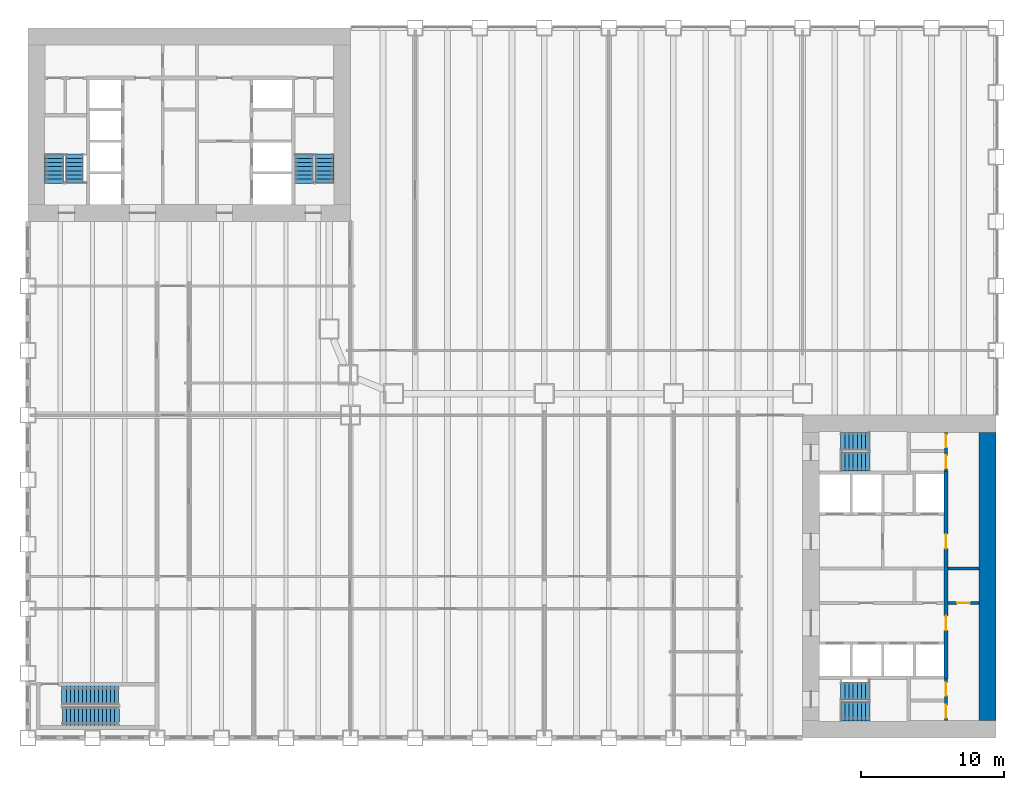
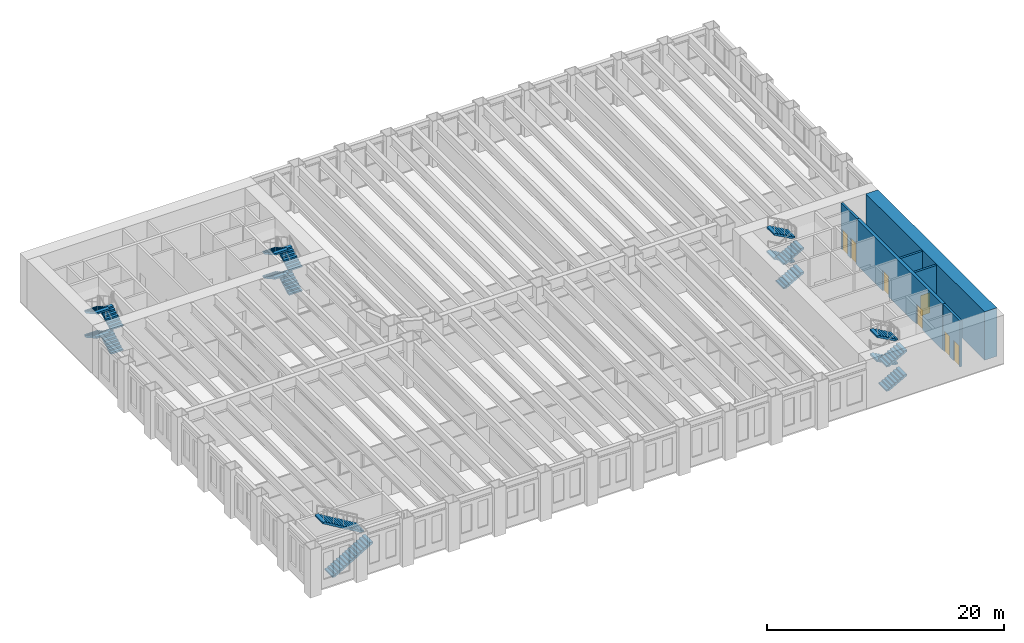
# One storey, part 16 of 19: 18 stair flights, 7 doors, 6 walls, 7 openings, 5 elements without a shape of their own.
"""IFC4 building model written with IfcOpenShell, lengths in metres."""

from ifc_helpers import new_model, si_unit, direction, frame, frame_2d, origin, place, context, subcontext, project, spatial, polyline, rectangle, outline, extrude, material, layer, layer_set, type_object, element, fill, aggregate, save


model = new_model("IFC4")

# Units and contexts
model_context = context("Model", 3, precision=1e-05, world=origin(), true_north=direction((0.0, 1.0)))
body_context = subcontext(model_context, "Body", "Model", "MODEL_VIEW")
ifc_project = project(units=[si_unit("LENGTHUNIT", "METRE"), si_unit("AREAUNIT", "SQUARE_METRE"), si_unit("VOLUMEUNIT", "CUBIC_METRE"), si_unit("PLANEANGLEUNIT", "RADIAN"), si_unit("MASSUNIT", "GRAM", prefix="KILO")], contexts=[model_context])

# Site, building, storey
site_placement = place(None, origin())
site = spatial("IfcSite", under=ifc_project, at=site_placement, CompositionType="ELEMENT")
building_placement = place(site_placement, origin())
building = spatial("IfcBuilding", under=site, at=building_placement, Name="Sennacour Bend Tower", CompositionType="ELEMENT")
storey_placement = place(building_placement, frame((0.0, 0.0, 19.0)))
storey = spatial("IfcBuildingStorey", under=building, at=storey_placement, Name="L03", CompositionType="ELEMENT", Elevation=19.0)

# Wall
ifc_material_1 = material(Name="Concrete C80/95", Category="concrete")
ifc_layer_1 = layer(ifc_material_1, 1.199951171875, Name="Concrete C80/95", Category="concrete")
ifc_layer_set_1 = layer_set([ifc_layer_1], Name="Concrete C80/95")
wall_type_1 = type_object("IfcWallType", Name="Core wall 1200 C80/95", PredefinedType="SHEAR", material=ifc_layer_set_1)
wall_1_placement = place(storey_placement, frame((66.89990234375, 1.199951171875, -0.14990234375), z_axis=(0.0, 0.0, 1.0), x_axis=(0.0, 1.0, 0.0)))
element("IfcWall", 1, at=wall_1_placement, inside=storey, type_object=wall_type_1, Name="Core A wall L03 E", PredefinedType="SHEAR", context=body_context, shape_type="SweptSolid", body=[
    extrude(rectangle(XDim=20.10009765625, YDim=1.199951171875, at=frame_2d((10.050048828125, 0.0))), origin(), (0.0, 0.0, 1.0), 5.0),
])

# Wall, openings, doors
ifc_material_2 = material(Name="Fire-rated plasterboard partition on steel studs", Category="steel")
ifc_layer_2 = layer(ifc_material_2, 0.199951171875, Name="Fire-rated plasterboard partition on steel studs", Category="steel")
ifc_layer_set_2 = layer_set([ifc_layer_2], Name="Fire-rated plasterboard partition on steel studs")
wall_type_2 = type_object("IfcWallType", Name="Rated partition 200", PredefinedType="PARTITIONING", material=ifc_layer_set_2)
wall_2_placement = place(storey_placement, frame((64.0, 1.199951171875, 0.0), z_axis=(0.0, 0.0, 1.0), x_axis=(0.0, 1.0, 0.0)))
wall_2 = element("IfcWall", 2, at=wall_2_placement, inside=storey, type_object=wall_type_2, Name="P-L03-W041", PredefinedType="PARTITIONING", context=body_context, shape_type="SweptSolid", body=[
    extrude(rectangle(XDim=2.900146484375, YDim=0.199951171875, at=frame_2d((1.4501953125, 0.0))), origin(), (0.0, 0.0, 1.0), 4.75),
])
opening_1_placement = place(wall_2_placement, frame((0.199951171875, 0.0, 0.0)))
opening_1 = element("IfcOpeningElement", 3, at=opening_1_placement, cuts=wall_2, Name="Opening SV", PredefinedType="OPENING", context=body_context, shape_type="SweptSolid", body=[
    extrude(rectangle(XDim=0.89990234375, YDim=2.10009765625, at=frame_2d((0.449951171875, 1.050048828125))), frame((0.0, 0.10986328125, 0.0), z_axis=(0.0, -1.0, 0.0), x_axis=(1.0, 0.0, 0.0)), (0.0, 0.0, 1.0), 0.219970703125),
])
opening_2_placement = place(wall_2_placement, frame((1.75, 0.0, 0.0)))
opening_2 = element("IfcOpeningElement", 4, at=opening_2_placement, cuts=wall_2, Name="Opening WD", PredefinedType="OPENING", context=body_context, shape_type="SweptSolid", body=[
    extrude(rectangle(XDim=0.89990234375, YDim=2.10009765625, at=frame_2d((0.449951171875, 1.050048828125))), frame((0.0, 0.10986328125, 0.0), z_axis=(0.0, -1.0, 0.0), x_axis=(1.0, 0.0, 0.0)), (0.0, 0.0, 1.0), 0.219970703125),
])
ifc_material_3 = material(Name="Painted steel", Category="steel")
door_type_1 = type_object("IfcDoorType", Name="DR-SERVICE-900", OperationType="NOTDEFINED", PredefinedType="DOOR", material=ifc_material_3)
door_1_placement = place(opening_1_placement, origin())
door_1 = element("IfcDoor", 5, at=door_1_placement, inside=storey, type_object=door_type_1, Name="Door", OperationType="SINGLE_SWING_LEFT", OverallHeight=2.10009765625, OverallWidth=0.89990234375, PredefinedType="DOOR", context=body_context, shape_type="SweptSolid", body=[
    extrude(rectangle(XDim=0.89990234375, YDim=2.10009765625, at=frame_2d((0.449951171875, 1.050048828125))), frame((0.0, 0.02490234375, 0.0), z_axis=(0.0, -1.0, 0.0), x_axis=(1.0, 0.0, 0.0)), (0.0, 0.0, 1.0), 0.050048828125),
])
fill(opening_1, door_1)
ifc_material_4 = material(Name="Timber", Category="wood")
door_type_2 = type_object("IfcDoorType", Name="DR-WC-900", OperationType="NOTDEFINED", PredefinedType="DOOR", material=ifc_material_4)
door_2_placement = place(opening_2_placement, origin())
door_2 = element("IfcDoor", 6, at=door_2_placement, inside=storey, type_object=door_type_2, Name="Door", OperationType="SINGLE_SWING_RIGHT", OverallHeight=2.10009765625, OverallWidth=0.89990234375, PredefinedType="DOOR", context=body_context, shape_type="SweptSolid", body=[
    extrude(rectangle(XDim=0.89990234375, YDim=2.10009765625, at=frame_2d((0.449951171875, 1.050048828125))), frame((0.0, 0.02490234375, 0.0), z_axis=(0.0, -1.0, 0.0), x_axis=(1.0, 0.0, 0.0)), (0.0, 0.0, 1.0), 0.050048828125),
])
fill(opening_2, door_2)

wall_3_placement = place(storey_placement, frame((64.0, 18.60009765625, 0.0), z_axis=(0.0, 0.0, 1.0), x_axis=(0.0, 1.0, 0.0)))
wall_3 = element("IfcWall", 7, at=wall_3_placement, inside=storey, type_object=wall_type_2, Name="P-L03-W043", PredefinedType="PARTITIONING", context=body_context, shape_type="SweptSolid", body=[
    extrude(rectangle(XDim=2.699951171875, YDim=0.199951171875, at=frame_2d((1.35009765625, 0.0))), origin(), (0.0, 0.0, 1.0), 4.75),
])
opening_3_placement = place(wall_3_placement, frame((0.199951171875, 0.0, 0.0)))
opening_3 = element("IfcOpeningElement", 8, at=opening_3_placement, cuts=wall_3, Name="Opening SV", PredefinedType="OPENING", context=body_context, shape_type="SweptSolid", body=[
    extrude(rectangle(XDim=0.89990234375, YDim=2.10009765625, at=frame_2d((0.449951171875, 1.050048828125))), frame((0.0, 0.10986328125, 0.0), z_axis=(0.0, -1.0, 0.0), x_axis=(1.0, 0.0, 0.0)), (0.0, 0.0, 1.0), 0.219970703125),
])
opening_4_placement = place(wall_3_placement, frame((1.64990234375, 0.0, 0.0)))
opening_4 = element("IfcOpeningElement", 9, at=opening_4_placement, cuts=wall_3, Name="Opening SV", PredefinedType="OPENING", context=body_context, shape_type="SweptSolid", body=[
    extrude(rectangle(XDim=0.89990234375, YDim=2.10009765625, at=frame_2d((0.449951171875, 1.050048828125))), frame((0.0, 0.10986328125, 0.0), z_axis=(0.0, -1.0, 0.0), x_axis=(1.0, 0.0, 0.0)), (0.0, 0.0, 1.0), 0.219970703125),
])
door_3_placement = place(opening_3_placement, origin())
door_3 = element("IfcDoor", 10, at=door_3_placement, inside=storey, type_object=door_type_1, Name="Door", OperationType="SINGLE_SWING_LEFT", OverallHeight=2.10009765625, OverallWidth=0.89990234375, PredefinedType="DOOR", context=body_context, shape_type="SweptSolid", body=[
    extrude(rectangle(XDim=0.89990234375, YDim=2.10009765625, at=frame_2d((0.449951171875, 1.050048828125))), frame((0.0, 0.02490234375, 0.0), z_axis=(0.0, -1.0, 0.0), x_axis=(1.0, 0.0, 0.0)), (0.0, 0.0, 1.0), 0.050048828125),
])
fill(opening_3, door_3)
door_4_placement = place(opening_4_placement, origin())
door_4 = element("IfcDoor", 11, at=door_4_placement, inside=storey, type_object=door_type_1, Name="Door", OperationType="SINGLE_SWING_RIGHT", OverallHeight=2.10009765625, OverallWidth=0.89990234375, PredefinedType="DOOR", context=body_context, shape_type="SweptSolid", body=[
    extrude(rectangle(XDim=0.89990234375, YDim=2.10009765625, at=frame_2d((0.449951171875, 1.050048828125))), frame((0.0, 0.02490234375, 0.0), z_axis=(0.0, -1.0, 0.0), x_axis=(1.0, 0.0, 0.0)), (0.0, 0.0, 1.0), 0.050048828125),
])
fill(opening_4, door_4)

# Wall, opening, door
wall_4_placement = place(storey_placement, frame((64.14990234375, 9.39990234375, 0.0), z_axis=(0.0, 0.0, 1.0), x_axis=(1.0, 0.0, 0.0)))
wall_4 = element("IfcWall", 12, at=wall_4_placement, inside=storey, type_object=wall_type_2, Name="P-L03-W056c", PredefinedType="PARTITIONING", context=body_context, shape_type="SweptSolid", body=[
    extrude(rectangle(XDim=2.150146484375, YDim=0.199951171875, at=frame_2d((1.0751953125, 0.0))), origin(), (0.0, 0.0, 1.0), 4.75),
])
opening_5_placement = place(wall_4_placement, frame((0.625, 0.0, 0.0)))
opening_5 = element("IfcOpeningElement", 13, at=opening_5_placement, cuts=wall_4, Name="Opening SV", PredefinedType="OPENING", context=body_context, shape_type="SweptSolid", body=[
    extrude(rectangle(XDim=0.89990234375, YDim=2.10009765625, at=frame_2d((0.449951171875, 1.050048828125))), frame((0.0, 0.10986328125, 0.0), z_axis=(0.0, -1.0, 0.0), x_axis=(1.0, 0.0, 0.0)), (0.0, 0.0, 1.0), 0.219970703125),
])
door_5_placement = place(opening_5_placement, origin())
door_5 = element("IfcDoor", 14, at=door_5_placement, inside=storey, type_object=door_type_1, Name="Door", OperationType="SINGLE_SWING_LEFT", OverallHeight=2.10009765625, OverallWidth=0.89990234375, PredefinedType="DOOR", context=body_context, shape_type="SweptSolid", body=[
    extrude(rectangle(XDim=0.89990234375, YDim=2.10009765625, at=frame_2d((0.449951171875, 1.050048828125))), frame((0.0, 0.02490234375, 0.0), z_axis=(0.0, -1.0, 0.0), x_axis=(1.0, 0.0, 0.0)), (0.0, 0.0, 1.0), 0.050048828125),
])
fill(opening_5, door_5)

# Wall
wall_5_placement = place(storey_placement, frame((64.14990234375, 11.800048828125, 0.0), z_axis=(0.0, 0.0, 1.0), x_axis=(1.0, 0.0, 0.0)))
element("IfcWall", 15, at=wall_5_placement, inside=storey, type_object=wall_type_2, Name="P-L03-W058d", PredefinedType="PARTITIONING", context=body_context, shape_type="SweptSolid", body=[
    extrude(rectangle(XDim=2.150146484375, YDim=0.199951171875, at=frame_2d((1.0751953125, 0.0))), origin(), (0.0, 0.0, 1.0), 4.75),
])

# Wall, openings, doors
ifc_material_5 = material(Name="Concrete C60/75", Category="concrete")
ifc_layer_3 = layer(ifc_material_5, 0.300048828125, Name="Concrete C60/75", Category="concrete")
ifc_layer_set_3 = layer_set([ifc_layer_3], Name="Concrete C60/75")
wall_type_3 = type_object("IfcWallType", Name="Spine wall 300", PredefinedType="SHEAR", material=ifc_layer_set_3)
wall_6_placement = place(storey_placement, frame((64.0, 4.10009765625, 0.0), z_axis=(0.0, 0.0, 1.0), x_axis=(0.0, 1.0, 0.0)))
wall_6 = element("IfcWall", 16, at=wall_6_placement, inside=storey, type_object=wall_type_3, Name="P-L03-W042", PredefinedType="SHEAR", context=body_context, shape_type="SweptSolid", body=[
    extrude(rectangle(XDim=14.5, YDim=0.300048828125, at=frame_2d((7.25, 0.0))), origin(), (0.0, 0.0, 1.0), 4.75),
])
opening_6_placement = place(wall_6_placement, frame((3.39990234375, 0.0, 0.0)))
opening_6 = element("IfcOpeningElement", 17, at=opening_6_placement, cuts=wall_6, Name="Opening CD2", PredefinedType="OPENING", context=body_context, shape_type="SweptSolid", body=[
    extrude(rectangle(XDim=1.0, YDim=2.10009765625, at=frame_2d((0.5, 1.050048828125))), frame((0.0, 0.16015625, 0.0), z_axis=(0.0, -1.0, 0.0), x_axis=(1.0, 0.0, 0.0)), (0.0, 0.0, 1.0), 0.320068359375),
])
opening_7_placement = place(wall_6_placement, frame((9.099853515625, 0.0, 0.0)))
opening_7 = element("IfcOpeningElement", 18, at=opening_7_placement, cuts=wall_6, Name="Opening CD2", PredefinedType="OPENING", context=body_context, shape_type="SweptSolid", body=[
    extrude(rectangle(XDim=1.0, YDim=2.10009765625, at=frame_2d((0.5, 1.050048828125))), frame((0.0, 0.16015625, 0.0), z_axis=(0.0, -1.0, 0.0), x_axis=(1.0, 0.0, 0.0)), (0.0, 0.0, 1.0), 0.320068359375),
])
door_type_3 = type_object("IfcDoorType", Name="DR-LOBBY-1000", OperationType="NOTDEFINED", PredefinedType="DOOR", material=ifc_material_3)
door_6_placement = place(opening_6_placement, origin())
door_6 = element("IfcDoor", 19, at=door_6_placement, inside=storey, type_object=door_type_3, Name="Door", OperationType="SINGLE_SWING_LEFT", OverallHeight=2.10009765625, OverallWidth=1.0, PredefinedType="DOOR", context=body_context, shape_type="SweptSolid", body=[
    extrude(rectangle(XDim=1.0, YDim=2.10009765625, at=frame_2d((0.5, 1.050048828125))), frame((0.0, 0.02490234375, 0.0), z_axis=(0.0, -1.0, 0.0), x_axis=(1.0, 0.0, 0.0)), (0.0, 0.0, 1.0), 0.050048828125),
])
fill(opening_6, door_6)
door_7_placement = place(opening_7_placement, origin())
door_7 = element("IfcDoor", 20, at=door_7_placement, inside=storey, type_object=door_type_3, Name="Door", OperationType="SINGLE_SWING_RIGHT", OverallHeight=2.10009765625, OverallWidth=1.0, PredefinedType="DOOR", context=body_context, shape_type="SweptSolid", body=[
    extrude(rectangle(XDim=1.0, YDim=2.10009765625, at=frame_2d((0.5, 1.050048828125))), frame((0.0, 0.02490234375, 0.0), z_axis=(0.0, -1.0, 0.0), x_axis=(1.0, 0.0, 0.0)), (0.0, 0.0, 1.0), 0.050048828125),
])
fill(opening_7, door_7)

# Stair, stair flights
ifc_material_6 = material(Name="Concrete C40/50", Category="concrete")
stair_type = type_object("IfcStairType", Name="ST-DOGLEG", PredefinedType="HALF_TURN_STAIR", material=ifc_material_6)
stair_1_placement = place(storey_placement, origin())
stair_1 = element("IfcStair", 21, at=stair_1_placement, inside=storey, type_object=stair_type, Name="L03 Exit stair A1", PredefinedType="HALF_TURN_STAIR")
stair_flight_type = type_object("IfcStairFlightType", Name="SFL-RC", PredefinedType="STRAIGHT", material=ifc_material_6)
stair_flight_1_placement = place(storey_placement, frame((56.699951171875, 1.8349609375, 0.0), z_axis=(0.0, 0.0, 1.0), x_axis=(1.0, 0.0, 0.0)))
stair_flight_1 = element("IfcStairFlight", 22, at=stair_flight_1_placement, type_object=stair_flight_type, Name="SA1 flight 1", NumberOfRisers=8, NumberOfTreads=7, PredefinedType="STRAIGHT", RiserHeight=0.15625, TreadLength=0.28, context=body_context, shape_type="SweptSolid", body=[
    extrude(outline(polyline([(0.0, 0.0), (0.0, 0.15625), (0.280029296875, 0.15625), (0.280029296875, 0.3125), (0.56005859375, 0.3125), (0.56005859375, 0.46875), (0.840087890625, 0.46875), (0.840087890625, 0.625), (1.1201171875, 0.625), (1.1201171875, 0.78125), (1.39990234375, 0.78125), (1.39990234375, 0.9375), (1.679931640625, 0.9375), (1.679931640625, 1.09375), (1.9599609375, 1.09375), (2.02001953125, 1.09375), (2.02001953125, 0.922119140625), (1.9599609375, 0.922119140625), (0.3076171875, 0.0), (0.0, 0.0)])), frame((0.0, 0.6650390625, 0.0), z_axis=(0.0, -1.0, 0.0), x_axis=(1.0, 0.0, 0.0)), (0.0, 0.0, 1.0), 1.330078125),
])
stair_flight_2_placement = place(storey_placement, frame((58.659912109375, 3.25, 1.25), z_axis=(0.0, 0.0, 1.0), x_axis=(-1.0, 0.0, 0.0)))
stair_flight_2 = element("IfcStairFlight", 23, at=stair_flight_2_placement, type_object=stair_flight_type, Name="SA1 flight 2", NumberOfRisers=8, NumberOfTreads=7, PredefinedType="STRAIGHT", RiserHeight=0.15625, TreadLength=0.28, context=body_context, shape_type="SweptSolid", body=[
    extrude(outline(polyline([(0.0, 0.0), (0.0, 0.15625), (0.280029296875, 0.15625), (0.280029296875, 0.3125), (0.56005859375, 0.3125), (0.56005859375, 0.46875), (0.840087890625, 0.46875), (0.840087890625, 0.625), (1.1201171875, 0.625), (1.1201171875, 0.78125), (1.39990234375, 0.78125), (1.39990234375, 0.9375), (1.679931640625, 0.9375), (1.679931640625, 1.09375), (1.9599609375, 1.09375), (2.02001953125, 1.09375), (2.02001953125, 0.922119140625), (1.9599609375, 0.922119140625), (0.3076171875, 0.0), (0.0, 0.0)])), frame((0.0, 0.60009765625, 0.0), z_axis=(0.0, -1.0, 0.0), x_axis=(1.0, 0.0, 0.0)), (0.0, 0.0, 1.0), 1.199951171875),
])
stair_flight_3_placement = place(storey_placement, frame((56.699951171875, 1.8349609375, 2.5), z_axis=(0.0, 0.0, 1.0), x_axis=(1.0, 0.0, 0.0)))
stair_flight_3 = element("IfcStairFlight", 24, at=stair_flight_3_placement, type_object=stair_flight_type, Name="SA1 flight 3", NumberOfRisers=8, NumberOfTreads=7, PredefinedType="STRAIGHT", RiserHeight=0.15625, TreadLength=0.28, context=body_context, shape_type="SweptSolid", body=[
    extrude(outline(polyline([(0.0, 0.0), (0.0, 0.15625), (0.280029296875, 0.15625), (0.280029296875, 0.3125), (0.56005859375, 0.3125), (0.56005859375, 0.46875), (0.840087890625, 0.46875), (0.840087890625, 0.625), (1.1201171875, 0.625), (1.1201171875, 0.78125), (1.39990234375, 0.78125), (1.39990234375, 0.9375), (1.679931640625, 0.9375), (1.679931640625, 1.09375), (1.9599609375, 1.09375), (2.02001953125, 1.09375), (2.02001953125, 0.922119140625), (1.9599609375, 0.922119140625), (0.3076171875, 0.0), (0.0, 0.0)])), frame((0.0, 0.6650390625, 0.0), z_axis=(0.0, -1.0, 0.0), x_axis=(1.0, 0.0, 0.0)), (0.0, 0.0, 1.0), 1.330078125),
])
stair_flight_4_placement = place(storey_placement, frame((58.659912109375, 3.25, 3.75), z_axis=(0.0, 0.0, 1.0), x_axis=(-1.0, 0.0, 0.0)))
stair_flight_4 = element("IfcStairFlight", 25, at=stair_flight_4_placement, type_object=stair_flight_type, Name="SA1 flight 4", NumberOfRisers=8, NumberOfTreads=7, PredefinedType="STRAIGHT", RiserHeight=0.15625, TreadLength=0.28, context=body_context, shape_type="SweptSolid", body=[
    extrude(outline(polyline([(0.0, 0.0), (0.0, 0.15625), (0.280029296875, 0.15625), (0.280029296875, 0.3125), (0.56005859375, 0.3125), (0.56005859375, 0.46875), (0.840087890625, 0.46875), (0.840087890625, 0.625), (1.1201171875, 0.625), (1.1201171875, 0.78125), (1.39990234375, 0.78125), (1.39990234375, 0.9375), (1.679931640625, 0.9375), (1.679931640625, 1.09375), (1.9599609375, 1.09375), (2.02001953125, 1.09375), (2.02001953125, 0.922119140625), (1.9599609375, 0.922119140625), (0.3076171875, 0.0), (0.0, 0.0)])), frame((0.0, 0.60009765625, 0.0), z_axis=(0.0, -1.0, 0.0), x_axis=(1.0, 0.0, 0.0)), (0.0, 0.0, 1.0), 1.199951171875),
])
aggregate(stair_1, [stair_flight_1, stair_flight_2, stair_flight_3, stair_flight_4])

stair_2_placement = place(storey_placement, origin())
stair_2 = element("IfcStair", 26, at=stair_2_placement, inside=storey, type_object=stair_type, Name="L03 Exit stair A2", PredefinedType="HALF_TURN_STAIR")
stair_flight_5_placement = place(storey_placement, frame((56.699951171875, 19.24755859375, 0.0), z_axis=(0.0, 0.0, 1.0), x_axis=(1.0, 0.0, 0.0)))
stair_flight_5 = element("IfcStairFlight", 27, at=stair_flight_5_placement, type_object=stair_flight_type, Name="SA2 flight 1", NumberOfRisers=8, NumberOfTreads=7, PredefinedType="STRAIGHT", RiserHeight=0.15625, TreadLength=0.28, context=body_context, shape_type="SweptSolid", body=[
    extrude(outline(polyline([(0.0, 0.0), (0.0, 0.15625), (0.280029296875, 0.15625), (0.280029296875, 0.3125), (0.56005859375, 0.3125), (0.56005859375, 0.46875), (0.840087890625, 0.46875), (0.840087890625, 0.625), (1.1201171875, 0.625), (1.1201171875, 0.78125), (1.39990234375, 0.78125), (1.39990234375, 0.9375), (1.679931640625, 0.9375), (1.679931640625, 1.09375), (1.9599609375, 1.09375), (2.02001953125, 1.09375), (2.02001953125, 0.922119140625), (1.9599609375, 0.922119140625), (0.3076171875, 0.0), (0.0, 0.0)])), frame((0.0, 0.65234375, 0.0), z_axis=(0.0, -1.0, 0.0), x_axis=(1.0, 0.0, 0.0)), (0.0, 0.0, 1.0), 1.304931640625),
])
stair_flight_6_placement = place(storey_placement, frame((58.659912109375, 20.68994140625, 1.25), z_axis=(0.0, 0.0, 1.0), x_axis=(-1.0, 0.0, 0.0)))
stair_flight_6 = element("IfcStairFlight", 28, at=stair_flight_6_placement, type_object=stair_flight_type, Name="SA2 flight 2", NumberOfRisers=8, NumberOfTreads=7, PredefinedType="STRAIGHT", RiserHeight=0.15625, TreadLength=0.28, context=body_context, shape_type="SweptSolid", body=[
    extrude(outline(polyline([(0.0, 0.0), (0.0, 0.15625), (0.280029296875, 0.15625), (0.280029296875, 0.3125), (0.56005859375, 0.3125), (0.56005859375, 0.46875), (0.840087890625, 0.46875), (0.840087890625, 0.625), (1.1201171875, 0.625), (1.1201171875, 0.78125), (1.39990234375, 0.78125), (1.39990234375, 0.9375), (1.679931640625, 0.9375), (1.679931640625, 1.09375), (1.9599609375, 1.09375), (2.02001953125, 1.09375), (2.02001953125, 0.922119140625), (1.9599609375, 0.922119140625), (0.3076171875, 0.0), (0.0, 0.0)])), frame((0.0, 0.64013671875, 0.0), z_axis=(0.0, -1.0, 0.0), x_axis=(1.0, 0.0, 0.0)), (0.0, 0.0, 1.0), 1.280029296875),
])
stair_flight_7_placement = place(storey_placement, frame((56.699951171875, 19.24755859375, 2.5), z_axis=(0.0, 0.0, 1.0), x_axis=(1.0, 0.0, 0.0)))
stair_flight_7 = element("IfcStairFlight", 29, at=stair_flight_7_placement, type_object=stair_flight_type, Name="SA2 flight 3", NumberOfRisers=8, NumberOfTreads=7, PredefinedType="STRAIGHT", RiserHeight=0.15625, TreadLength=0.28, context=body_context, shape_type="SweptSolid", body=[
    extrude(outline(polyline([(0.0, 0.0), (0.0, 0.15625), (0.280029296875, 0.15625), (0.280029296875, 0.3125), (0.56005859375, 0.3125), (0.56005859375, 0.46875), (0.840087890625, 0.46875), (0.840087890625, 0.625), (1.1201171875, 0.625), (1.1201171875, 0.78125), (1.39990234375, 0.78125), (1.39990234375, 0.9375), (1.679931640625, 0.9375), (1.679931640625, 1.09375), (1.9599609375, 1.09375), (2.02001953125, 1.09375), (2.02001953125, 0.922119140625), (1.9599609375, 0.922119140625), (0.3076171875, 0.0), (0.0, 0.0)])), frame((0.0, 0.65234375, 0.0), z_axis=(0.0, -1.0, 0.0), x_axis=(1.0, 0.0, 0.0)), (0.0, 0.0, 1.0), 1.304931640625),
])
stair_flight_8_placement = place(storey_placement, frame((58.659912109375, 20.68994140625, 3.75), z_axis=(0.0, 0.0, 1.0), x_axis=(-1.0, 0.0, 0.0)))
stair_flight_8 = element("IfcStairFlight", 30, at=stair_flight_8_placement, type_object=stair_flight_type, Name="SA2 flight 4", NumberOfRisers=8, NumberOfTreads=7, PredefinedType="STRAIGHT", RiserHeight=0.15625, TreadLength=0.28, context=body_context, shape_type="SweptSolid", body=[
    extrude(outline(polyline([(0.0, 0.0), (0.0, 0.15625), (0.280029296875, 0.15625), (0.280029296875, 0.3125), (0.56005859375, 0.3125), (0.56005859375, 0.46875), (0.840087890625, 0.46875), (0.840087890625, 0.625), (1.1201171875, 0.625), (1.1201171875, 0.78125), (1.39990234375, 0.78125), (1.39990234375, 0.9375), (1.679931640625, 0.9375), (1.679931640625, 1.09375), (1.9599609375, 1.09375), (2.02001953125, 1.09375), (2.02001953125, 0.922119140625), (1.9599609375, 0.922119140625), (0.3076171875, 0.0), (0.0, 0.0)])), frame((0.0, 0.64013671875, 0.0), z_axis=(0.0, -1.0, 0.0), x_axis=(1.0, 0.0, 0.0)), (0.0, 0.0, 1.0), 1.280029296875),
])
aggregate(stair_2, [stair_flight_5, stair_flight_6, stair_flight_7, stair_flight_8])

stair_3_placement = place(storey_placement, origin())
stair_3 = element("IfcStair", 31, at=stair_3_placement, inside=storey, type_object=stair_type, Name="L03 Exit stair B1", PredefinedType="HALF_TURN_STAIR")
stair_flight_9_placement = place(storey_placement, frame((3.25, 38.699951171875, 0.0), z_axis=(0.0, 0.0, 1.0), x_axis=(0.0, 1.0, 0.0)))
stair_flight_9 = element("IfcStairFlight", 32, at=stair_flight_9_placement, type_object=stair_flight_type, Name="SB1 flight 1", NumberOfRisers=8, NumberOfTreads=7, PredefinedType="STRAIGHT", RiserHeight=0.15625, TreadLength=0.28, context=body_context, shape_type="SweptSolid", body=[
    extrude(outline(polyline([(0.0, 0.0), (0.0, 0.15625), (0.280029296875, 0.15625), (0.280029296875, 0.3125), (0.56005859375, 0.3125), (0.56005859375, 0.46875), (0.840087890625, 0.46875), (0.840087890625, 0.625), (1.1201171875, 0.625), (1.1201171875, 0.78125), (1.39990234375, 0.78125), (1.39990234375, 0.9375), (1.679931640625, 0.9375), (1.679931640625, 1.09375), (1.9599609375, 1.09375), (2.02001953125, 1.09375), (2.02001953125, 0.922119140625), (1.9599609375, 0.922119140625), (0.3076171875, 0.0), (0.0, 0.0)])), frame((0.0, 0.60009765625, 0.0), z_axis=(0.0, -1.0, 0.0), x_axis=(1.0, 0.0, 0.0)), (0.0, 0.0, 1.0), 1.199951171875),
])
stair_flight_10_placement = place(storey_placement, frame((1.8349609375, 40.659912109375, 1.25), z_axis=(0.0, 0.0, 1.0), x_axis=(0.0, -1.0, 0.0)))
stair_flight_10 = element("IfcStairFlight", 33, at=stair_flight_10_placement, type_object=stair_flight_type, Name="SB1 flight 2", NumberOfRisers=8, NumberOfTreads=7, PredefinedType="STRAIGHT", RiserHeight=0.15625, TreadLength=0.28, context=body_context, shape_type="SweptSolid", body=[
    extrude(outline(polyline([(0.0, 0.0), (0.0, 0.15625), (0.280029296875, 0.15625), (0.280029296875, 0.3125), (0.56005859375, 0.3125), (0.56005859375, 0.46875), (0.840087890625, 0.46875), (0.840087890625, 0.625), (1.1201171875, 0.625), (1.1201171875, 0.78125), (1.39990234375, 0.78125), (1.39990234375, 0.9375), (1.679931640625, 0.9375), (1.679931640625, 1.09375), (1.9599609375, 1.09375), (2.02001953125, 1.09375), (2.02001953125, 0.922119140625), (1.9599609375, 0.922119140625), (0.3076171875, 0.0), (0.0, 0.0)])), frame((0.0, 0.6650390625, 0.0), z_axis=(0.0, -1.0, 0.0), x_axis=(1.0, 0.0, 0.0)), (0.0, 0.0, 1.0), 1.330078125),
])
stair_flight_11_placement = place(storey_placement, frame((3.25, 38.699951171875, 2.5), z_axis=(0.0, 0.0, 1.0), x_axis=(0.0, 1.0, 0.0)))
stair_flight_11 = element("IfcStairFlight", 34, at=stair_flight_11_placement, type_object=stair_flight_type, Name="SB1 flight 3", NumberOfRisers=8, NumberOfTreads=7, PredefinedType="STRAIGHT", RiserHeight=0.15625, TreadLength=0.28, context=body_context, shape_type="SweptSolid", body=[
    extrude(outline(polyline([(0.0, 0.0), (0.0, 0.15625), (0.280029296875, 0.15625), (0.280029296875, 0.3125), (0.56005859375, 0.3125), (0.56005859375, 0.46875), (0.840087890625, 0.46875), (0.840087890625, 0.625), (1.1201171875, 0.625), (1.1201171875, 0.78125), (1.39990234375, 0.78125), (1.39990234375, 0.9375), (1.679931640625, 0.9375), (1.679931640625, 1.09375), (1.9599609375, 1.09375), (2.02001953125, 1.09375), (2.02001953125, 0.922119140625), (1.9599609375, 0.922119140625), (0.3076171875, 0.0), (0.0, 0.0)])), frame((0.0, 0.60009765625, 0.0), z_axis=(0.0, -1.0, 0.0), x_axis=(1.0, 0.0, 0.0)), (0.0, 0.0, 1.0), 1.199951171875),
])
stair_flight_12_placement = place(storey_placement, frame((1.8349609375, 40.659912109375, 3.75), z_axis=(0.0, 0.0, 1.0), x_axis=(0.0, -1.0, 0.0)))
stair_flight_12 = element("IfcStairFlight", 35, at=stair_flight_12_placement, type_object=stair_flight_type, Name="SB1 flight 4", NumberOfRisers=8, NumberOfTreads=7, PredefinedType="STRAIGHT", RiserHeight=0.15625, TreadLength=0.28, context=body_context, shape_type="SweptSolid", body=[
    extrude(outline(polyline([(0.0, 0.0), (0.0, 0.15625), (0.280029296875, 0.15625), (0.280029296875, 0.3125), (0.56005859375, 0.3125), (0.56005859375, 0.46875), (0.840087890625, 0.46875), (0.840087890625, 0.625), (1.1201171875, 0.625), (1.1201171875, 0.78125), (1.39990234375, 0.78125), (1.39990234375, 0.9375), (1.679931640625, 0.9375), (1.679931640625, 1.09375), (1.9599609375, 1.09375), (2.02001953125, 1.09375), (2.02001953125, 0.922119140625), (1.9599609375, 0.922119140625), (0.3076171875, 0.0), (0.0, 0.0)])), frame((0.0, 0.6650390625, 0.0), z_axis=(0.0, -1.0, 0.0), x_axis=(1.0, 0.0, 0.0)), (0.0, 0.0, 1.0), 1.330078125),
])
aggregate(stair_3, [stair_flight_9, stair_flight_10, stair_flight_11, stair_flight_12])

stair_4_placement = place(storey_placement, origin())
stair_4 = element("IfcStair", 36, at=stair_4_placement, inside=storey, type_object=stair_type, Name="L03 Exit stair B2", PredefinedType="HALF_TURN_STAIR")
stair_flight_13_placement = place(storey_placement, frame((20.68994140625, 38.699951171875, 0.0), z_axis=(0.0, 0.0, 1.0), x_axis=(0.0, 1.0, 0.0)))
stair_flight_13 = element("IfcStairFlight", 37, at=stair_flight_13_placement, type_object=stair_flight_type, Name="SB2 flight 1", NumberOfRisers=8, NumberOfTreads=7, PredefinedType="STRAIGHT", RiserHeight=0.15625, TreadLength=0.28, context=body_context, shape_type="SweptSolid", body=[
    extrude(outline(polyline([(0.0, 0.0), (0.0, 0.15625), (0.280029296875, 0.15625), (0.280029296875, 0.3125), (0.56005859375, 0.3125), (0.56005859375, 0.46875), (0.840087890625, 0.46875), (0.840087890625, 0.625), (1.1201171875, 0.625), (1.1201171875, 0.78125), (1.39990234375, 0.78125), (1.39990234375, 0.9375), (1.679931640625, 0.9375), (1.679931640625, 1.09375), (1.9599609375, 1.09375), (2.02001953125, 1.09375), (2.02001953125, 0.922119140625), (1.9599609375, 0.922119140625), (0.3076171875, 0.0), (0.0, 0.0)])), frame((0.0, 0.64013671875, 0.0), z_axis=(0.0, -1.0, 0.0), x_axis=(1.0, 0.0, 0.0)), (0.0, 0.0, 1.0), 1.280029296875),
])
stair_flight_14_placement = place(storey_placement, frame((19.24755859375, 40.659912109375, 1.25), z_axis=(0.0, 0.0, 1.0), x_axis=(0.0, -1.0, 0.0)))
stair_flight_14 = element("IfcStairFlight", 38, at=stair_flight_14_placement, type_object=stair_flight_type, Name="SB2 flight 2", NumberOfRisers=8, NumberOfTreads=7, PredefinedType="STRAIGHT", RiserHeight=0.15625, TreadLength=0.28, context=body_context, shape_type="SweptSolid", body=[
    extrude(outline(polyline([(0.0, 0.0), (0.0, 0.15625), (0.280029296875, 0.15625), (0.280029296875, 0.3125), (0.56005859375, 0.3125), (0.56005859375, 0.46875), (0.840087890625, 0.46875), (0.840087890625, 0.625), (1.1201171875, 0.625), (1.1201171875, 0.78125), (1.39990234375, 0.78125), (1.39990234375, 0.9375), (1.679931640625, 0.9375), (1.679931640625, 1.09375), (1.9599609375, 1.09375), (2.02001953125, 1.09375), (2.02001953125, 0.922119140625), (1.9599609375, 0.922119140625), (0.3076171875, 0.0), (0.0, 0.0)])), frame((0.0, 0.65234375, 0.0), z_axis=(0.0, -1.0, 0.0), x_axis=(1.0, 0.0, 0.0)), (0.0, 0.0, 1.0), 1.304931640625),
])
stair_flight_15_placement = place(storey_placement, frame((20.68994140625, 38.699951171875, 2.5), z_axis=(0.0, 0.0, 1.0), x_axis=(0.0, 1.0, 0.0)))
stair_flight_15 = element("IfcStairFlight", 39, at=stair_flight_15_placement, type_object=stair_flight_type, Name="SB2 flight 3", NumberOfRisers=8, NumberOfTreads=7, PredefinedType="STRAIGHT", RiserHeight=0.15625, TreadLength=0.28, context=body_context, shape_type="SweptSolid", body=[
    extrude(outline(polyline([(0.0, 0.0), (0.0, 0.15625), (0.280029296875, 0.15625), (0.280029296875, 0.3125), (0.56005859375, 0.3125), (0.56005859375, 0.46875), (0.840087890625, 0.46875), (0.840087890625, 0.625), (1.1201171875, 0.625), (1.1201171875, 0.78125), (1.39990234375, 0.78125), (1.39990234375, 0.9375), (1.679931640625, 0.9375), (1.679931640625, 1.09375), (1.9599609375, 1.09375), (2.02001953125, 1.09375), (2.02001953125, 0.922119140625), (1.9599609375, 0.922119140625), (0.3076171875, 0.0), (0.0, 0.0)])), frame((0.0, 0.64013671875, 0.0), z_axis=(0.0, -1.0, 0.0), x_axis=(1.0, 0.0, 0.0)), (0.0, 0.0, 1.0), 1.280029296875),
])
stair_flight_16_placement = place(storey_placement, frame((19.24755859375, 40.659912109375, 3.75), z_axis=(0.0, 0.0, 1.0), x_axis=(0.0, -1.0, 0.0)))
stair_flight_16 = element("IfcStairFlight", 40, at=stair_flight_16_placement, type_object=stair_flight_type, Name="SB2 flight 4", NumberOfRisers=8, NumberOfTreads=7, PredefinedType="STRAIGHT", RiserHeight=0.15625, TreadLength=0.28, context=body_context, shape_type="SweptSolid", body=[
    extrude(outline(polyline([(0.0, 0.0), (0.0, 0.15625), (0.280029296875, 0.15625), (0.280029296875, 0.3125), (0.56005859375, 0.3125), (0.56005859375, 0.46875), (0.840087890625, 0.46875), (0.840087890625, 0.625), (1.1201171875, 0.625), (1.1201171875, 0.78125), (1.39990234375, 0.78125), (1.39990234375, 0.9375), (1.679931640625, 0.9375), (1.679931640625, 1.09375), (1.9599609375, 1.09375), (2.02001953125, 1.09375), (2.02001953125, 0.922119140625), (1.9599609375, 0.922119140625), (0.3076171875, 0.0), (0.0, 0.0)])), frame((0.0, 0.65234375, 0.0), z_axis=(0.0, -1.0, 0.0), x_axis=(1.0, 0.0, 0.0)), (0.0, 0.0, 1.0), 1.304931640625),
])
aggregate(stair_4, [stair_flight_13, stair_flight_14, stair_flight_15, stair_flight_16])

stair_5_placement = place(storey_placement, origin())
stair_5 = element("IfcStair", 41, at=stair_5_placement, inside=storey, type_object=stair_type, Name="L03 Exit stair K1", PredefinedType="HALF_TURN_STAIR")
stair_flight_17_placement = place(storey_placement, frame((2.39990234375, 1.485107421875, 0.0), z_axis=(0.0, 0.0, 1.0), x_axis=(1.0, 0.0, 0.0)))
stair_flight_17 = element("IfcStairFlight", 42, at=stair_flight_17_placement, type_object=stair_flight_type, Name="SK1 flight 1", NumberOfRisers=15, NumberOfTreads=14, PredefinedType="STRAIGHT", RiserHeight=0.166666667, TreadLength=0.28, context=body_context, shape_type="SweptSolid", body=[
    extrude(outline(polyline([(0.0, 0.0), (0.0, 0.166748046875), (0.280029296875, 0.166748046875), (0.280029296875, 0.333251953125), (0.56005859375, 0.333251953125), (0.56005859375, 0.5), (0.840087890625, 0.5), (0.840087890625, 0.666748046875), (1.1201171875, 0.666748046875), (1.1201171875, 0.833251953125), (1.39990234375, 0.833251953125), (1.39990234375, 1.0), (1.679931640625, 1.0), (1.679931640625, 1.166748046875), (1.9599609375, 1.166748046875), (1.9599609375, 1.333251953125), (2.239990234375, 1.333251953125), (2.239990234375, 1.5), (2.52001953125, 1.5), (2.52001953125, 1.666748046875), (2.800048828125, 1.666748046875), (2.800048828125, 1.833251953125), (3.080078125, 1.833251953125), (3.080078125, 2.0), (3.360107421875, 2.0), (3.360107421875, 2.166748046875), (3.639892578125, 2.166748046875), (3.639892578125, 2.333251953125), (3.919921875, 2.333251953125), (3.97998046875, 2.333251953125), (3.97998046875, 2.158935546875), (3.919921875, 2.158935546875), (0.29296875, 0.0), (0.0, 0.0)])), frame((0.0, 0.6650390625, 0.0), z_axis=(0.0, -1.0, 0.0), x_axis=(1.0, 0.0, 0.0)), (0.0, 0.0, 1.0), 1.330078125),
])
stair_flight_18_placement = place(storey_placement, frame((6.320068359375, 2.9775390625, 2.5), z_axis=(0.0, 0.0, 1.0), x_axis=(-1.0, 0.0, 0.0)))
stair_flight_18 = element("IfcStairFlight", 43, at=stair_flight_18_placement, type_object=stair_flight_type, Name="SK1 flight 2", NumberOfRisers=15, NumberOfTreads=14, PredefinedType="STRAIGHT", RiserHeight=0.166666667, TreadLength=0.28, context=body_context, shape_type="SweptSolid", body=[
    extrude(outline(polyline([(0.0, 0.0), (0.0, 0.166748046875), (0.280029296875, 0.166748046875), (0.280029296875, 0.333251953125), (0.56005859375, 0.333251953125), (0.56005859375, 0.5), (0.840087890625, 0.5), (0.840087890625, 0.666748046875), (1.1201171875, 0.666748046875), (1.1201171875, 0.833251953125), (1.39990234375, 0.833251953125), (1.39990234375, 1.0), (1.679931640625, 1.0), (1.679931640625, 1.166748046875), (1.9599609375, 1.166748046875), (1.9599609375, 1.333251953125), (2.239990234375, 1.333251953125), (2.239990234375, 1.5), (2.52001953125, 1.5), (2.52001953125, 1.666748046875), (2.800048828125, 1.666748046875), (2.800048828125, 1.833251953125), (3.080078125, 1.833251953125), (3.080078125, 2.0), (3.360107421875, 2.0), (3.360107421875, 2.166748046875), (3.639892578125, 2.166748046875), (3.639892578125, 2.333251953125), (3.919921875, 2.333251953125), (3.97998046875, 2.333251953125), (3.97998046875, 2.158935546875), (3.919921875, 2.158935546875), (0.29296875, 0.0), (0.0, 0.0)])), frame((0.0, 0.677490234375, 0.0), z_axis=(0.0, -1.0, 0.0), x_axis=(1.0, 0.0, 0.0)), (0.0, 0.0, 1.0), 1.35498046875),
])
aggregate(stair_5, [stair_flight_17, stair_flight_18])

save(model, "model.ifc")
